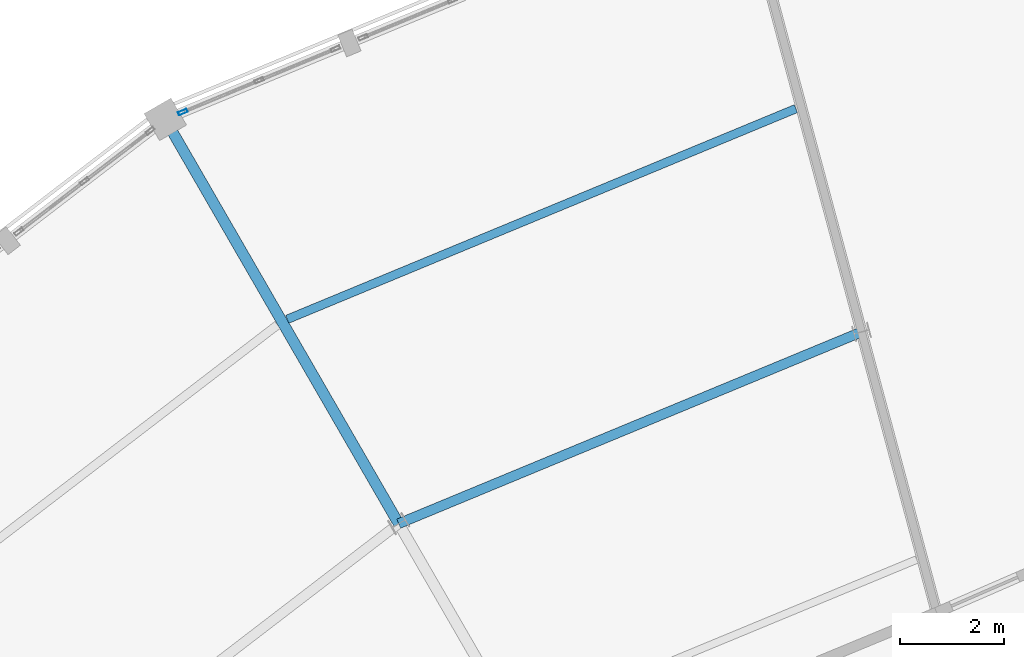
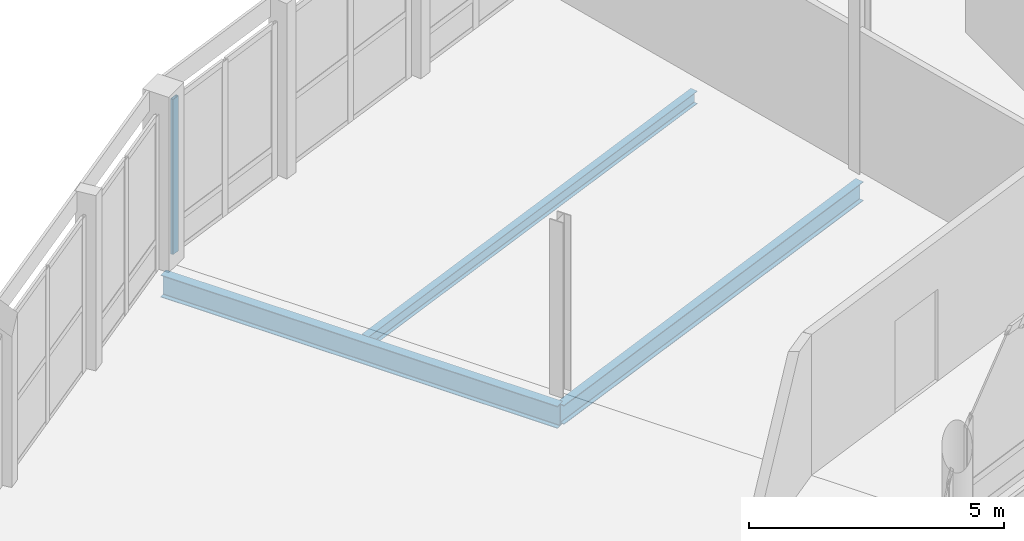
# One storey, part 75 of 170: 3 beams, 1 member, 1 element without a shape of its own.
"""IFC4 building model written with IfcOpenShell, lengths in metres."""

from ifc_helpers import new_model, si_unit, direction, frame, origin, origin_2d, place, context, subcontext, project, spatial, hollow_rectangle, i_section, extrude, material, material_profile, profile_set, type_object, element, aggregate, save


model = new_model("IFC4")

# Units and contexts
model_context = context("Model", 3, precision=1e-05, world=origin(), true_north=direction((0.0, 1.0)))
body_context = subcontext(model_context, "Body", "Model", "MODEL_VIEW")
ifc_project = project(units=[si_unit("LENGTHUNIT", "METRE"), si_unit("AREAUNIT", "SQUARE_METRE"), si_unit("VOLUMEUNIT", "CUBIC_METRE"), si_unit("PLANEANGLEUNIT", "RADIAN"), si_unit("MASSUNIT", "GRAM", prefix="KILO")], contexts=[model_context])

# Site, building, storey
site_placement = place(None, origin())
site = spatial("IfcSite", under=ifc_project, at=site_placement, CompositionType="ELEMENT")
building_placement = place(site_placement, origin())
building = spatial("IfcBuilding", under=site, at=building_placement, Name="Vondelvale Polytechnic", CompositionType="ELEMENT")
storey_placement = place(building_placement, frame((0.0, 0.0, 5.39990234375)))
storey = spatial("IfcBuildingStorey", under=building, at=storey_placement, Name="L01", CompositionType="ELEMENT", Elevation=5.39990234375)

# Beams
ifc_material_1 = material(Name="Steel 300PLUS (fy = 300 MPa)", Category="steel")
ifc_material_profile_1 = material_profile(ifc_material_1, i_section(OverallWidth=0.19091796875, OverallDepth=0.4599609375, WebThickness=0.010009765625, FlangeThickness=0.01611328125, FilletRadius=0.011474609375, at=origin_2d()), Name="460UB82.1")
ifc_profile_set_1 = profile_set([ifc_material_profile_1], Name="Steel 300PLUS (fy = 300 MPa)")
beam_type_1 = type_object("IfcBeamType", Name="BM-UB460H", PredefinedType="BEAM", material=ifc_profile_set_1)
beam_1_placement = place(storey_placement, frame((92.423583984375, 107.7392578125, -0.510009765625), z_axis=(-0.923878816854, -0.38268516011, 0.0), x_axis=(0.38268516011, -0.923878816854, 0.0)))
element("IfcBeam", 1, at=beam_1_placement, inside=storey, type_object=beam_type_1, Name="L01 RB B-12", PredefinedType="BEAM", context=body_context, shape_type="SweptSolid", body=[
    extrude(i_section(OverallWidth=0.19091796875, OverallDepth=0.4599609375, WebThickness=0.010009765625, FlangeThickness=0.01611328125, FilletRadius=0.011474609375, at=origin_2d()), origin(), (0.0, 0.0, 1.0), 9.658935546875),
])
ifc_material_profile_2 = material_profile(ifc_material_1, i_section(OverallWidth=0.208984375, OverallDepth=0.532958984375, WebThickness=0.01025390625, FlangeThickness=0.015625, FilletRadius=0.013916015625, at=origin_2d()), Name="530UB92.4")
ifc_profile_set_2 = profile_set([ifc_material_profile_2], Name="Steel 300PLUS (fy = 300 MPa)")
beam_type_2 = type_object("IfcBeamType", Name="BM-UB530", PredefinedType="BEAM", material=ifc_profile_set_2)
beam_2_placement = place(storey_placement, frame((83.5, 104.04296875, -0.54638671875), z_axis=(-0.5000018851, 0.866024315419, 0.0), x_axis=(-0.866024315419, -0.5000018851, 0.0)))
element("IfcBeam", 2, at=beam_2_placement, inside=storey, type_object=beam_type_2, Name="L01 RG B-11", PredefinedType="BEAM", context=body_context, shape_type="SweptSolid", body=[
    extrude(i_section(OverallWidth=0.208984375, OverallDepth=0.532958984375, WebThickness=0.01025390625, FlangeThickness=0.015625, FilletRadius=0.013916015625, at=origin_2d()), origin(), (0.0, 0.0, 1.0), 9.0),
])

# Curtain wall, member
ifc_material_2 = material(Name="Glulam GL18 structural Tasmanian oak (fb = 42 MPa)", Category="wood")
curtain_wall_type = type_object("IfcCurtainWallType", Name="CW-RING-OUTER", PredefinedType="NOTDEFINED", material=ifc_material_2)
curtain_wall_placement = place(storey_placement, origin())
curtain_wall = element("IfcCurtainWall", 3, at=curtain_wall_placement, inside=storey, type_object=curtain_wall_type, Name="L01 architectural curtain wall CW-04-178", PredefinedType="NOTDEFINED")
ifc_material_3 = material(Name="Anodised extruded aluminium 6063-T6", Category="aluminium")
ifc_material_profile_3 = material_profile(ifc_material_3, hollow_rectangle(XDim=0.06494140625, YDim=0.179931640625, WallThickness=0.00390625, at=origin_2d()), Name="CW-MUL-180x65")
ifc_profile_set_3 = profile_set([ifc_material_profile_3], Name="Anodised extruded aluminium 6063-T6")
member_type = type_object("IfcMemberType", Name="CW-MUL-65x180", PredefinedType="MULLION", material=ifc_profile_set_3)
member_placement = place(storey_placement, frame((79.33740234375, 111.97705078125, 0.0), z_axis=(0.0, 0.0, 1.0), x_axis=(0.382677394529, -0.923882033442, 0.0)))
member = element("IfcMember", 4, at=member_placement, type_object=member_type, Name="CW-04-178 mullion 3", PredefinedType="MULLION", context=body_context, shape_type="SweptSolid", body=[
    extrude(hollow_rectangle(XDim=0.06494140625, YDim=0.179931640625, WallThickness=0.00390625, at=origin_2d()), origin(), (0.0, 0.0, 1.0), 3.72021484375),
])
aggregate(curtain_wall, [member])

# Beam
ifc_material_profile_4 = material_profile(ifc_material_1, i_section(OverallWidth=0.1650390625, OverallDepth=0.303955078125, WebThickness=0.006103515625, FlangeThickness=0.01025390625, FilletRadius=0.011474609375, at=origin_2d()), Name="310UB40.4")
ifc_profile_set_4 = profile_set([ifc_material_profile_4], Name="Steel 300PLUS (fy = 300 MPa)")
beam_type_3 = type_object("IfcBeamType", Name="JST-UB310", PredefinedType="JOIST", material=ifc_profile_set_4)
beam_3_placement = place(storey_placement, frame((91.157470703125, 112.043701171875, -0.431884765625), z_axis=(-0.923886751865, -0.382666002839, 0.0), x_axis=(0.382666002839, -0.923886751865, 0.0)))
element("IfcBeam", 5, at=beam_3_placement, inside=storey, type_object=beam_type_3, Name="L01 RJ J-05", PredefinedType="JOIST", context=body_context, shape_type="SweptSolid", body=[
    extrude(i_section(OverallWidth=0.1650390625, OverallDepth=0.303955078125, WebThickness=0.006103515625, FlangeThickness=0.01025390625, FilletRadius=0.011474609375, at=origin_2d()), origin(), (0.0, 0.0, 1.0), 10.61376953125),
])

save(model, "model.ifc")
